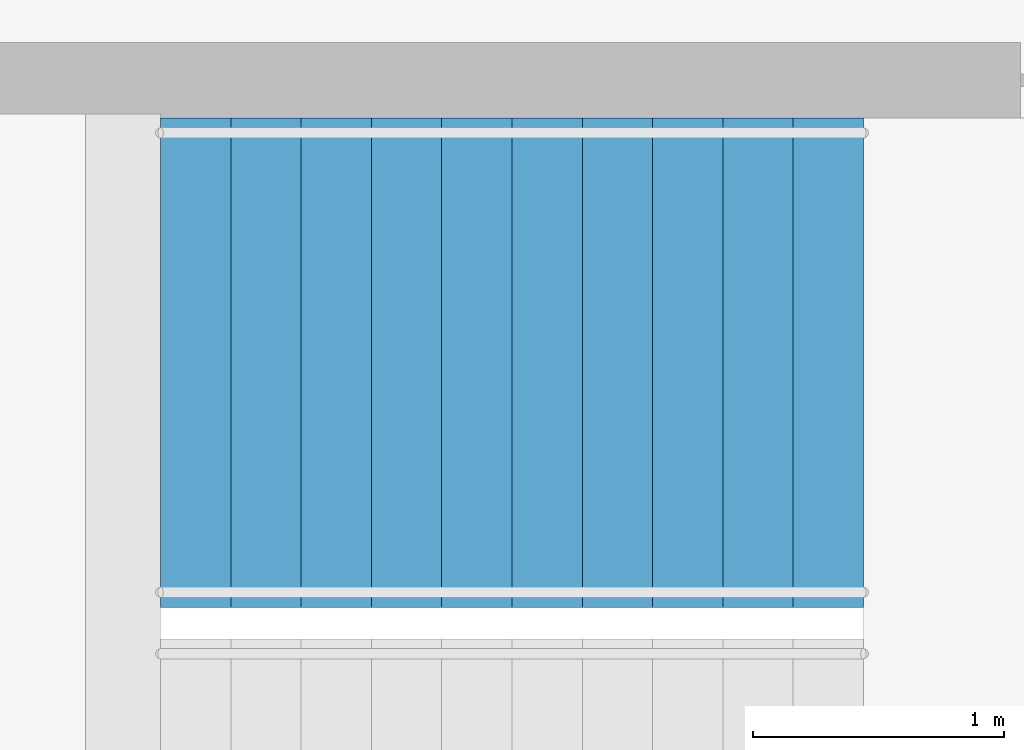
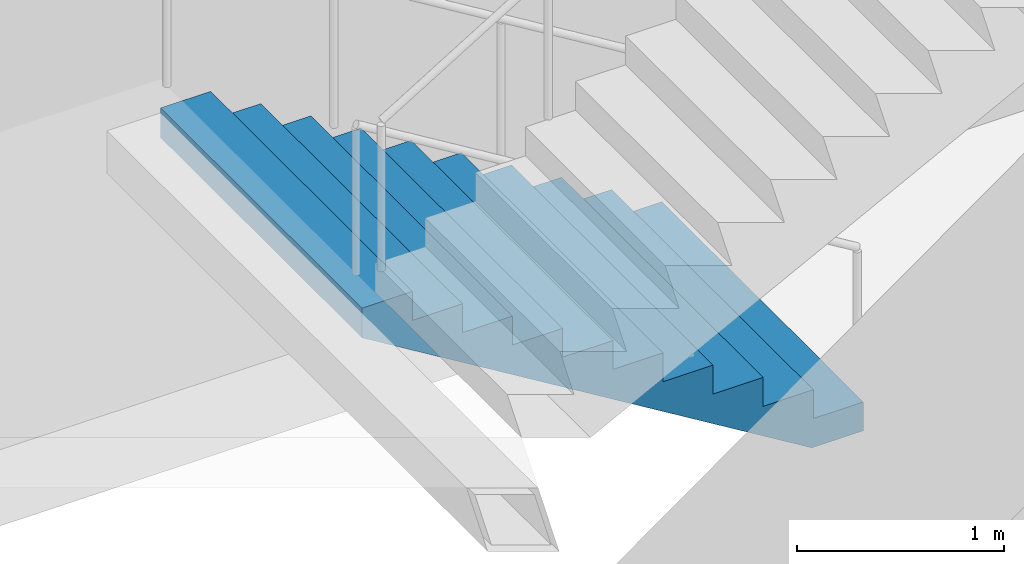
# One storey, part 27 of 29: 1 stair flight, 1 element without a shape of its own.
"""IFC4 building model written with IfcOpenShell, lengths in metres."""

from ifc_helpers import new_model, si_unit, direction, frame, origin, place, context, subcontext, project, spatial, triangles, material, type_object, element, aggregate, save


model = new_model("IFC4")

# Units and contexts
model_context = context("Model", 3, precision=1e-05, world=origin(), true_north=direction((0.0, 1.0)))
body_context = subcontext(model_context, "Body", "Model", "MODEL_VIEW")
ifc_project = project(units=[si_unit("LENGTHUNIT", "METRE"), si_unit("AREAUNIT", "SQUARE_METRE"), si_unit("VOLUMEUNIT", "CUBIC_METRE"), si_unit("PLANEANGLEUNIT", "RADIAN"), si_unit("MASSUNIT", "GRAM", prefix="KILO")], contexts=[model_context])

# Site, building, storey
site_placement = place(None, origin())
site = spatial("IfcSite", under=ifc_project, at=site_placement, CompositionType="ELEMENT")
building_placement = place(site_placement, origin())
building = spatial("IfcBuilding", under=site, at=building_placement, Name="Orbita Commons", CompositionType="ELEMENT")
storey_placement = place(building_placement, frame((0.0, 0.0, 148.60009765625)))
storey = spatial("IfcBuildingStorey", under=building, at=storey_placement, Name="L36", CompositionType="ELEMENT", Elevation=148.60009765625)

# Stair, stair flight
ifc_material_1 = material(Name="Precast concrete C40/50", Category="concrete")
stair_type = type_object("IfcStairType", Name="Exit stair S2 2 flights 11 risers 170", PredefinedType="HALF_TURN_STAIR", material=ifc_material_1)
stair_placement = place(storey_placement, origin())
stair = element("IfcStair", 1, at=stair_placement, inside=storey, type_object=stair_type, Name="Exit stair S2 L36", PredefinedType="HALF_TURN_STAIR")
ifc_material_2 = material(Name="Precast concrete C40/50", Category="concrete")
stair_flight_type = type_object("IfcStairFlightType", Name="Stair flight 11 risers 170 x 280", PredefinedType="STRAIGHT", material=ifc_material_2)
stair_flight_placement = place(storey_placement, frame((63.550048828125, 29.27490234375, 0.0), z_axis=(0.0, 0.0, 1.0), x_axis=(-1.0, 0.0, 0.0)))
stair_flight = element("IfcStairFlight", 2, at=stair_flight_placement, type_object=stair_flight_type, Name="S2 flight 1", NumberOfRisers=11, NumberOfTreads=10, PredefinedType="STRAIGHT", RiserHeight=0.170454545, TreadLength=0.28, context=body_context, shape_type="Tessellation", body=[
    triangles([(0.0, 0.974976, 0.0), (0.0, 0.974976, 0.021307), (0.0, 0.81248, 0.021307), (0.0, 0.81248, 0.0), (0.0, 0.649984, 0.021307), (0.0, 0.649984, 0.0), (0.0, 0.487488, 0.021307), (0.0, 0.487488, 0.0), (0.0, 0.324992, 0.021307), (0.0, 0.324992, 0.0), (0.0, 0.162496, 0.021307), (0.0, 0.162496, 0.0), (0.0, 0.0, 0.021307), (0.0, 0.0, 0.0), (0.0, -0.162496, 0.021307), (0.0, -0.162496, 0.0), (0.0, -0.324992, 0.021307), (0.0, -0.324992, 0.0), (0.0, -0.487488, 0.021307), (0.0, -0.487488, 0.0), (0.0, -0.649984, 0.021307), (0.0, -0.649984, 0.0), (0.0, -0.81248, 0.021307), (0.0, -0.81248, 0.0), (0.0, -0.974976, 0.021307), (0.0, -0.974976, 0.0), (0.0, 0.974976, 0.042614), (0.0, 0.81248, 0.042614), (0.0, 0.649984, 0.042614), (0.0, 0.487488, 0.042614), (0.0, 0.324992, 0.042614), (0.0, 0.162496, 0.042614), (0.0, 0.0, 0.042614), (0.0, -0.162496, 0.042614), (0.0, -0.324992, 0.042614), (0.0, -0.487488, 0.042614), (0.0, -0.649984, 0.042614), (0.0, -0.81248, 0.042614), (0.0, -0.974976, 0.042614), (0.0, 0.974976, 0.06392), (0.0, 0.81248, 0.06392), (0.0, 0.649984, 0.06392), (0.0, 0.487488, 0.06392), (0.0, 0.324992, 0.06392), (0.0, 0.162496, 0.06392), (0.0, 0.0, 0.06392), (0.0, -0.162496, 0.06392), (0.0, -0.324992, 0.06392), (0.0, -0.487488, 0.06392), (0.0, -0.649984, 0.06392), (0.0, -0.81248, 0.06392), (0.0, -0.974976, 0.06392), (0.0, 0.974976, 0.085227), (0.0, 0.81248, 0.085227), (0.0, 0.649984, 0.085227), (0.0, 0.487488, 0.085227), (0.0, 0.324992, 0.085227), (0.0, 0.162496, 0.085227), (0.0, 0.0, 0.085227), (0.0, -0.162496, 0.085227), (0.0, -0.324992, 0.085227), (0.0, -0.487488, 0.085227), (0.0, -0.649984, 0.085227), (0.0, -0.81248, 0.085227), (0.0, -0.974976, 0.085227), (0.0, 0.974976, 0.106534), (0.0, 0.81248, 0.106534), (0.0, 0.649984, 0.106534), (0.0, 0.487488, 0.106534), (0.0, 0.324992, 0.106534), (0.0, 0.162496, 0.106534), (0.0, 0.0, 0.106534), (0.0, -0.162496, 0.106534), (0.0, -0.324992, 0.106534), (0.0, -0.487488, 0.106534), (0.0, -0.649984, 0.106534), (0.0, -0.81248, 0.106534), (0.0, -0.974976, 0.106534), (0.0, 0.974976, 0.127841), (0.0, 0.81248, 0.127841), (0.0, 0.649984, 0.127841), (0.0, 0.487488, 0.127841), (0.0, 0.324992, 0.127841), (0.0, 0.162496, 0.127841), (0.0, 0.0, 0.127841), (0.0, -0.162496, 0.127841), (0.0, -0.324992, 0.127841), (0.0, -0.487488, 0.127841), (0.0, -0.649984, 0.127841), (0.0, -0.81248, 0.127841), (0.0, -0.974976, 0.127841), (0.0, 0.974976, 0.149148), (0.0, 0.81248, 0.149148), (0.0, 0.649984, 0.149148), (0.0, 0.487488, 0.149148), (0.0, 0.324992, 0.149148), (0.0, 0.162496, 0.149148), (0.0, 0.0, 0.149148), (0.0, -0.162496, 0.149148), (0.0, -0.324992, 0.149148), (0.0, -0.487488, 0.149148), (0.0, -0.649984, 0.149148), (0.0, -0.81248, 0.149148), (0.0, -0.974976, 0.149148), (0.0, 0.974976, 0.170455), (0.0, 0.81248, 0.170455), (0.0, 0.649984, 0.170455), (0.0, 0.487488, 0.170455), (0.0, 0.324992, 0.170455), (0.0, 0.162496, 0.170455), (0.0, 0.0, 0.170455), (0.0, -0.162496, 0.170455), (0.0, -0.324992, 0.170455), (0.0, -0.487488, 0.170455), (0.0, -0.649984, 0.170455), (0.0, -0.81248, 0.170455), (0.0, -0.974976, 0.170455), (0.28, 0.974976, 0.170455), (0.28, 0.81248, 0.170455), (0.28, 0.649984, 0.170455), (0.28, 0.487488, 0.170455), (0.28, 0.324992, 0.170455), (0.28, 0.162496, 0.170455), (0.28, 0.0, 0.170455), (0.28, -0.162496, 0.170455), (0.28, -0.324992, 0.170455), (0.28, -0.487488, 0.170455), (0.28, -0.649984, 0.170455), (0.28, -0.81248, 0.170455), (0.28, -0.974976, 0.170455), (0.28, 0.974976, 0.340909), (0.28, 0.81248, 0.340909), (0.28, 0.649984, 0.340909), (0.28, 0.487488, 0.340909), (0.28, 0.324992, 0.340909), (0.28, 0.162496, 0.340909), (0.28, 0.0, 0.340909), (0.28, -0.162496, 0.340909), (0.28, -0.324992, 0.340909), (0.28, -0.487488, 0.340909), (0.28, -0.649984, 0.340909), (0.28, -0.81248, 0.340909), (0.28, -0.974976, 0.340909), (0.56, 0.974976, 0.340909), (0.56, 0.81248, 0.340909), (0.56, 0.649984, 0.340909), (0.56, 0.487488, 0.340909), (0.56, 0.324992, 0.340909), (0.56, 0.162496, 0.340909), (0.56, 0.0, 0.340909), (0.56, -0.162496, 0.340909), (0.56, -0.324992, 0.340909), (0.56, -0.487488, 0.340909), (0.56, -0.649984, 0.340909), (0.56, -0.81248, 0.340909), (0.56, -0.974976, 0.340909), (0.56, 0.974976, 0.511364), (0.56, 0.81248, 0.511364), (0.56, 0.649984, 0.511364), (0.56, 0.487488, 0.511364), (0.56, 0.324992, 0.511364), (0.56, 0.162496, 0.511364), (0.56, 0.0, 0.511364), (0.56, -0.162496, 0.511364), (0.56, -0.324992, 0.511364), (0.56, -0.487488, 0.511364), (0.56, -0.649984, 0.511364), (0.56, -0.81248, 0.511364), (0.56, -0.974976, 0.511364), (0.84, 0.974976, 0.511364), (0.84, 0.81248, 0.511364), (0.84, 0.649984, 0.511364), (0.84, 0.487488, 0.511364), (0.84, 0.324992, 0.511364), (0.84, 0.162496, 0.511364), (0.84, 0.0, 0.511364), (0.84, -0.162496, 0.511364), (0.84, -0.324992, 0.511364), (0.84, -0.487488, 0.511364), (0.84, -0.649984, 0.511364), (0.84, -0.81248, 0.511364), (0.84, -0.974976, 0.511364), (0.84, 0.974976, 0.681818), (0.84, 0.81248, 0.681818), (0.84, 0.649984, 0.681818), (0.84, 0.487488, 0.681818), (0.84, 0.324992, 0.681818), (0.84, 0.162496, 0.681818), (0.84, 0.0, 0.681818), (0.84, -0.162496, 0.681818), (0.84, -0.324992, 0.681818), (0.84, -0.487488, 0.681818), (0.84, -0.649984, 0.681818), (0.84, -0.81248, 0.681818), (0.84, -0.974976, 0.681818), (1.12, 0.974976, 0.681818), (1.12, 0.81248, 0.681818), (1.12, 0.649984, 0.681818), (1.12, 0.487488, 0.681818), (1.12, 0.324992, 0.681818), (1.12, 0.162496, 0.681818), (1.12, 0.0, 0.681818), (1.12, -0.162496, 0.681818), (1.12, -0.324992, 0.681818), (1.12, -0.487488, 0.681818), (1.12, -0.649984, 0.681818), (1.12, -0.81248, 0.681818), (1.12, -0.974976, 0.681818), (1.12, 0.974976, 0.852273), (1.12, 0.81248, 0.852273), (1.12, 0.649984, 0.852273), (1.12, 0.487488, 0.852273), (1.12, 0.324992, 0.852273), (1.12, 0.162496, 0.852273), (1.12, 0.0, 0.852273), (1.12, -0.162496, 0.852273), (1.12, -0.324992, 0.852273), (1.12, -0.487488, 0.852273), (1.12, -0.649984, 0.852273), (1.12, -0.81248, 0.852273), (1.12, -0.974976, 0.852273), (1.4, 0.974976, 0.852273), (1.4, 0.81248, 0.852273), (1.4, 0.649984, 0.852273), (1.4, 0.487488, 0.852273), (1.4, 0.324992, 0.852273), (1.4, 0.162496, 0.852273), (1.4, 0.0, 0.852273), (1.4, -0.162496, 0.852273), (1.4, -0.324992, 0.852273), (1.4, -0.487488, 0.852273), (1.4, -0.649984, 0.852273), (1.4, -0.81248, 0.852273), (1.4, -0.974976, 0.852273), (1.4, 0.974976, 1.022727), (1.4, 0.81248, 1.022727), (1.4, 0.649984, 1.022727), (1.4, 0.487488, 1.022727), (1.4, 0.324992, 1.022727), (1.4, 0.162496, 1.022727), (1.4, 0.0, 1.022727), (1.4, -0.162496, 1.022727), (1.4, -0.324992, 1.022727), (1.4, -0.487488, 1.022727), (1.4, -0.649984, 1.022727), (1.4, -0.81248, 1.022727), (1.4, -0.974976, 1.022727), (1.68, 0.974976, 1.022727), (1.68, 0.81248, 1.022727), (1.68, 0.649984, 1.022727), (1.68, 0.487488, 1.022727), (1.68, 0.324992, 1.022727), (1.68, 0.162496, 1.022727), (1.68, 0.0, 1.022727), (1.68, -0.162496, 1.022727), (1.68, -0.324992, 1.022727), (1.68, -0.487488, 1.022727), (1.68, -0.649984, 1.022727), (1.68, -0.81248, 1.022727), (1.68, -0.974976, 1.022727), (1.68, 0.974976, 1.193182), (1.68, 0.81248, 1.193182), (1.68, 0.649984, 1.193182), (1.68, 0.487488, 1.193182), (1.68, 0.324992, 1.193182), (1.68, 0.162496, 1.193182), (1.68, 0.0, 1.193182), (1.68, -0.162496, 1.193182), (1.68, -0.324992, 1.193182), (1.68, -0.487488, 1.193182), (1.68, -0.649984, 1.193182), (1.68, -0.81248, 1.193182), (1.68, -0.974976, 1.193182), (1.96, 0.974976, 1.193182), (1.96, 0.81248, 1.193182), (1.96, 0.649984, 1.193182), (1.96, 0.487488, 1.193182), (1.96, 0.324992, 1.193182), (1.96, 0.162496, 1.193182), (1.96, 0.0, 1.193182), (1.96, -0.162496, 1.193182), (1.96, -0.324992, 1.193182), (1.96, -0.487488, 1.193182), (1.96, -0.649984, 1.193182), (1.96, -0.81248, 1.193182), (1.96, -0.974976, 1.193182), (1.96, 0.974976, 1.363636), (1.96, 0.81248, 1.363636), (1.96, 0.649984, 1.363636), (1.96, 0.487488, 1.363636), (1.96, 0.324992, 1.363636), (1.96, 0.162496, 1.363636), (1.96, 0.0, 1.363636), (1.96, -0.162496, 1.363636), (1.96, -0.324992, 1.363636), (1.96, -0.487488, 1.363636), (1.96, -0.649984, 1.363636), (1.96, -0.81248, 1.363636), (1.96, -0.974976, 1.363636), (2.24, 0.974976, 1.363636), (2.24, 0.81248, 1.363636), (2.24, 0.649984, 1.363636), (2.24, 0.487488, 1.363636), (2.24, 0.324992, 1.363636), (2.24, 0.162496, 1.363636), (2.24, 0.0, 1.363636), (2.24, -0.162496, 1.363636), (2.24, -0.324992, 1.363636), (2.24, -0.487488, 1.363636), (2.24, -0.649984, 1.363636), (2.24, -0.81248, 1.363636), (2.24, -0.974976, 1.363636), (2.24, 0.974976, 1.534091), (2.24, 0.81248, 1.534091), (2.24, 0.649984, 1.534091), (2.24, 0.487488, 1.534091), (2.24, 0.324992, 1.534091), (2.24, 0.162496, 1.534091), (2.24, 0.0, 1.534091), (2.24, -0.162496, 1.534091), (2.24, -0.324992, 1.534091), (2.24, -0.487488, 1.534091), (2.24, -0.649984, 1.534091), (2.24, -0.81248, 1.534091), (2.24, -0.974976, 1.534091), (2.52, 0.974976, 1.534091), (2.52, 0.81248, 1.534091), (2.52, 0.649984, 1.534091), (2.52, 0.487488, 1.534091), (2.52, 0.324992, 1.534091), (2.52, 0.162496, 1.534091), (2.52, 0.0, 1.534091), (2.52, -0.162496, 1.534091), (2.52, -0.324992, 1.534091), (2.52, -0.487488, 1.534091), (2.52, -0.649984, 1.534091), (2.52, -0.81248, 1.534091), (2.52, -0.974976, 1.534091), (2.52, 0.974976, 1.704545), (2.52, 0.81248, 1.704545), (2.52, 0.649984, 1.704545), (2.52, 0.487488, 1.704545), (2.52, 0.324992, 1.704545), (2.52, 0.162496, 1.704545), (2.52, 0.0, 1.704545), (2.52, -0.162496, 1.704545), (2.52, -0.324992, 1.704545), (2.52, -0.487488, 1.704545), (2.52, -0.649984, 1.704545), (2.52, -0.81248, 1.704545), (2.52, -0.974976, 1.704545), (2.8, 0.974976, 1.704545), (2.8, 0.81248, 1.704545), (2.8, 0.649984, 1.704545), (2.8, 0.487488, 1.704545), (2.8, 0.324992, 1.704545), (2.8, 0.162496, 1.704545), (2.8, 0.0, 1.704545), (2.8, -0.162496, 1.704545), (2.8, -0.324992, 1.704545), (2.8, -0.487488, 1.704545), (2.8, -0.649984, 1.704545), (2.8, -0.81248, 1.704545), (2.8, -0.974976, 1.704545), (2.8, 0.974976, 1.682609), (2.8, 0.81248, 1.682609), (2.8, 0.649984, 1.682609), (2.8, 0.487488, 1.682609), (2.8, 0.324992, 1.682609), (2.8, 0.162496, 1.682609), (2.8, 0.0, 1.682609), (2.8, -0.162496, 1.682609), (2.8, -0.324992, 1.682609), (2.8, -0.487488, 1.682609), (2.8, -0.649984, 1.682609), (2.8, -0.81248, 1.682609), (2.8, -0.974976, 1.682609), (2.8, 0.974976, 1.660672), (2.8, 0.81248, 1.660672), (2.8, 0.649984, 1.660672), (2.8, 0.487488, 1.660672), (2.8, 0.324992, 1.660672), (2.8, 0.162496, 1.660672), (2.8, 0.0, 1.660672), (2.8, -0.162496, 1.660672), (2.8, -0.324992, 1.660672), (2.8, -0.487488, 1.660672), (2.8, -0.649984, 1.660672), (2.8, -0.81248, 1.660672), (2.8, -0.974976, 1.660672), (2.8, 0.974976, 1.638735), (2.8, 0.81248, 1.638735), (2.8, 0.649984, 1.638735), (2.8, 0.487488, 1.638735), (2.8, 0.324992, 1.638735), (2.8, 0.162496, 1.638735), (2.8, 0.0, 1.638735), (2.8, -0.162496, 1.638735), (2.8, -0.324992, 1.638735), (2.8, -0.487488, 1.638735), (2.8, -0.649984, 1.638735), (2.8, -0.81248, 1.638735), (2.8, -0.974976, 1.638735), (2.8, 0.974976, 1.616798), (2.8, 0.81248, 1.616798), (2.8, 0.649984, 1.616798), (2.8, 0.487488, 1.616798), (2.8, 0.324992, 1.616798), (2.8, 0.162496, 1.616798), (2.8, 0.0, 1.616798), (2.8, -0.162496, 1.616798), (2.8, -0.324992, 1.616798), (2.8, -0.487488, 1.616798), (2.8, -0.649984, 1.616798), (2.8, -0.81248, 1.616798), (2.8, -0.974976, 1.616798), (2.8, 0.974976, 1.594861), (2.8, 0.81248, 1.594861), (2.8, 0.649984, 1.594861), (2.8, 0.487488, 1.594861), (2.8, 0.324992, 1.594861), (2.8, 0.162496, 1.594861), (2.8, 0.0, 1.594861), (2.8, -0.162496, 1.594861), (2.8, -0.324992, 1.594861), (2.8, -0.487488, 1.594861), (2.8, -0.649984, 1.594861), (2.8, -0.81248, 1.594861), (2.8, -0.974976, 1.594861), (2.8, 0.974976, 1.572925), (2.8, 0.81248, 1.572925), (2.8, 0.649984, 1.572925), (2.8, 0.487488, 1.572925), (2.8, 0.324992, 1.572925), (2.8, 0.162496, 1.572925), (2.8, 0.0, 1.572925), (2.8, -0.162496, 1.572925), (2.8, -0.324992, 1.572925), (2.8, -0.487488, 1.572925), (2.8, -0.649984, 1.572925), (2.8, -0.81248, 1.572925), (2.8, -0.974976, 1.572925), (2.8, 0.974976, 1.550988), (2.8, 0.81248, 1.550988), (2.8, 0.649984, 1.550988), (2.8, 0.487488, 1.550988), (2.8, 0.324992, 1.550988), (2.8, 0.162496, 1.550988), (2.8, 0.0, 1.550988), (2.8, -0.162496, 1.550988), (2.8, -0.324992, 1.550988), (2.8, -0.487488, 1.550988), (2.8, -0.649984, 1.550988), (2.8, -0.81248, 1.550988), (2.8, -0.974976, 1.550988), (2.8, 0.974976, 1.529051), (2.8, 0.81248, 1.529051), (2.8, 0.649984, 1.529051), (2.8, 0.487488, 1.529051), (2.8, 0.324992, 1.529051), (2.8, 0.162496, 1.529051), (2.8, 0.0, 1.529051), (2.8, -0.162496, 1.529051), (2.8, -0.324992, 1.529051), (2.8, -0.487488, 1.529051), (2.8, -0.649984, 1.529051), (2.8, -0.81248, 1.529051), (2.8, -0.974976, 1.529051), (0.288279, 0.974976, 0.0), (0.288279, 0.81248, 0.0), (0.288279, 0.649984, 0.0), (0.288279, 0.487488, 0.0), (0.288279, 0.324992, 0.0), (0.288279, 0.162496, 0.0), (0.288279, 0.0, 0.0), (0.288279, -0.162496, 0.0), (0.288279, -0.324992, 0.0), (0.288279, -0.487488, 0.0), (0.288279, -0.649984, 0.0), (0.288279, -0.81248, 0.0), (0.288279, -0.974976, 0.0)], [[3, 2, 1], [4, 3, 1], [5, 3, 4], [6, 5, 4], [7, 5, 6], [8, 7, 6], [9, 7, 8], [10, 9, 8], [11, 9, 10], [12, 11, 10], [13, 11, 12], [14, 13, 12], [15, 13, 14], [16, 15, 14], [17, 15, 16], [18, 17, 16], [19, 17, 18], [20, 19, 18], [21, 19, 20], [22, 21, 20], [23, 21, 22], [24, 23, 22], [25, 23, 24], [26, 25, 24], [28, 27, 2], [3, 28, 2], [29, 28, 3], [5, 29, 3], [30, 29, 5], [7, 30, 5], [31, 30, 7], [9, 31, 7], [32, 31, 9], [11, 32, 9], [33, 32, 11], [13, 33, 11], [34, 33, 13], [15, 34, 13], [35, 34, 15], [17, 35, 15], [36, 35, 17], [19, 36, 17], [37, 36, 19], [21, 37, 19], [38, 37, 21], [23, 38, 21], [39, 38, 23], [25, 39, 23], [41, 40, 27], [28, 41, 27], [42, 41, 28], [29, 42, 28], [43, 42, 29], [30, 43, 29], [44, 43, 30], [31, 44, 30], [45, 44, 31], [32, 45, 31], [46, 45, 32], [33, 46, 32], [47, 46, 33], [34, 47, 33], [48, 47, 34], [35, 48, 34], [49, 48, 35], [36, 49, 35], [50, 49, 36], [37, 50, 36], [51, 50, 37], [38, 51, 37], [52, 51, 38], [39, 52, 38], [54, 53, 40], [41, 54, 40], [55, 54, 41], [42, 55, 41], [56, 55, 42], [43, 56, 42], [57, 56, 43], [44, 57, 43], [58, 57, 44], [45, 58, 44], [59, 58, 45], [46, 59, 45], [60, 59, 46], [47, 60, 46], [61, 60, 47], [48, 61, 47], [62, 61, 48], [49, 62, 48], [63, 62, 49], [50, 63, 49], [64, 63, 50], [51, 64, 50], [65, 64, 51], [52, 65, 51], [67, 66, 53], [54, 67, 53], [68, 67, 54], [55, 68, 54], [69, 68, 55], [56, 69, 55], [70, 69, 56], [57, 70, 56], [71, 70, 57], [58, 71, 57], [72, 71, 58], [59, 72, 58], [73, 72, 59], [60, 73, 59], [74, 73, 60], [61, 74, 60], [75, 74, 61], [62, 75, 61], [76, 75, 62], [63, 76, 62], [77, 76, 63], [64, 77, 63], [78, 77, 64], [65, 78, 64], [80, 79, 66], [67, 80, 66], [81, 80, 67], [68, 81, 67], [82, 81, 68], [69, 82, 68], [83, 82, 69], [70, 83, 69], [84, 83, 70], [71, 84, 70], [85, 84, 71], [72, 85, 71], [86, 85, 72], [73, 86, 72], [87, 86, 73], [74, 87, 73], [88, 87, 74], [75, 88, 74], [89, 88, 75], [76, 89, 75], [90, 89, 76], [77, 90, 76], [91, 90, 77], [78, 91, 77], [93, 92, 79], [80, 93, 79], [94, 93, 80], [81, 94, 80], [95, 94, 81], [82, 95, 81], [96, 95, 82], [83, 96, 82], [97, 96, 83], [84, 97, 83], [98, 97, 84], [85, 98, 84], [99, 98, 85], [86, 99, 85], [100, 99, 86], [87, 100, 86], [101, 100, 87], [88, 101, 87], [102, 101, 88], [89, 102, 88], [103, 102, 89], [90, 103, 89], [104, 103, 90], [91, 104, 90], [106, 105, 92], [93, 106, 92], [107, 106, 93], [94, 107, 93], [108, 107, 94], [95, 108, 94], [109, 108, 95], [96, 109, 95], [110, 109, 96], [97, 110, 96], [111, 110, 97], [98, 111, 97], [112, 111, 98], [99, 112, 98], [113, 112, 99], [100, 113, 99], [114, 113, 100], [101, 114, 100], [115, 114, 101], [102, 115, 101], [116, 115, 102], [103, 116, 102], [117, 116, 103], [104, 117, 103], [119, 118, 105], [106, 119, 105], [120, 119, 106], [107, 120, 106], [121, 120, 107], [108, 121, 107], [122, 121, 108], [109, 122, 108], [123, 122, 109], [110, 123, 109], [124, 123, 110], [111, 124, 110], [125, 124, 111], [112, 125, 111], [126, 125, 112], [113, 126, 112], [127, 126, 113], [114, 127, 113], [128, 127, 114], [115, 128, 114], [129, 128, 115], [116, 129, 115], [130, 129, 116], [117, 130, 116], [132, 131, 118], [119, 132, 118], [133, 132, 119], [120, 133, 119], [134, 133, 120], [121, 134, 120], [135, 134, 121], [122, 135, 121], [136, 135, 122], [123, 136, 122], [137, 136, 123], [124, 137, 123], [138, 137, 124], [125, 138, 124], [139, 138, 125], [126, 139, 125], [140, 139, 126], [127, 140, 126], [141, 140, 127], [128, 141, 127], [142, 141, 128], [129, 142, 128], [143, 142, 129], [130, 143, 129], [145, 144, 131], [132, 145, 131], [146, 145, 132], [133, 146, 132], [147, 146, 133], [134, 147, 133], [148, 147, 134], [135, 148, 134], [149, 148, 135], [136, 149, 135], [150, 149, 136], [137, 150, 136], [151, 150, 137], [138, 151, 137], [152, 151, 138], [139, 152, 138], [153, 152, 139], [140, 153, 139], [154, 153, 140], [141, 154, 140], [155, 154, 141], [142, 155, 141], [156, 155, 142], [143, 156, 142], [158, 157, 144], [145, 158, 144], [159, 158, 145], [146, 159, 145], [160, 159, 146], [147, 160, 146], [161, 160, 147], [148, 161, 147], [162, 161, 148], [149, 162, 148], [163, 162, 149], [150, 163, 149], [164, 163, 150], [151, 164, 150], [165, 164, 151], [152, 165, 151], [166, 165, 152], [153, 166, 152], [167, 166, 153], [154, 167, 153], [168, 167, 154], [155, 168, 154], [169, 168, 155], [156, 169, 155], [171, 170, 157], [158, 171, 157], [172, 171, 158], [159, 172, 158], [173, 172, 159], [160, 173, 159], [174, 173, 160], [161, 174, 160], [175, 174, 161], [162, 175, 161], [176, 175, 162], [163, 176, 162], [177, 176, 163], [164, 177, 163], [178, 177, 164], [165, 178, 164], [179, 178, 165], [166, 179, 165], [180, 179, 166], [167, 180, 166], [181, 180, 167], [168, 181, 167], [182, 181, 168], [169, 182, 168], [184, 183, 170], [171, 184, 170], [185, 184, 171], [172, 185, 171], [186, 185, 172], [173, 186, 172], [187, 186, 173], [174, 187, 173], [188, 187, 174], [175, 188, 174], [189, 188, 175], [176, 189, 175], [190, 189, 176], [177, 190, 176], [191, 190, 177], [178, 191, 177], [192, 191, 178], [179, 192, 178], [193, 192, 179], [180, 193, 179], [194, 193, 180], [181, 194, 180], [195, 194, 181], [182, 195, 181], [197, 196, 183], [184, 197, 183], [198, 197, 184], [185, 198, 184], [199, 198, 185], [186, 199, 185], [200, 199, 186], [187, 200, 186], [201, 200, 187], [188, 201, 187], [202, 201, 188], [189, 202, 188], [203, 202, 189], [190, 203, 189], [204, 203, 190], [191, 204, 190], [205, 204, 191], [192, 205, 191], [206, 205, 192], [193, 206, 192], [207, 206, 193], [194, 207, 193], [208, 207, 194], [195, 208, 194], [210, 209, 196], [197, 210, 196], [211, 210, 197], [198, 211, 197], [212, 211, 198], [199, 212, 198], [213, 212, 199], [200, 213, 199], [214, 213, 200], [201, 214, 200], [215, 214, 201], [202, 215, 201], [216, 215, 202], [203, 216, 202], [217, 216, 203], [204, 217, 203], [218, 217, 204], [205, 218, 204], [219, 218, 205], [206, 219, 205], [220, 219, 206], [207, 220, 206], [221, 220, 207], [208, 221, 207], [223, 222, 209], [210, 223, 209], [224, 223, 210], [211, 224, 210], [225, 224, 211], [212, 225, 211], [226, 225, 212], [213, 226, 212], [227, 226, 213], [214, 227, 213], [228, 227, 214], [215, 228, 214], [229, 228, 215], [216, 229, 215], [230, 229, 216], [217, 230, 216], [231, 230, 217], [218, 231, 217], [232, 231, 218], [219, 232, 218], [233, 232, 219], [220, 233, 219], [234, 233, 220], [221, 234, 220], [236, 235, 222], [223, 236, 222], [237, 236, 223], [224, 237, 223], [238, 237, 224], [225, 238, 224], [239, 238, 225], [226, 239, 225], [240, 239, 226], [227, 240, 226], [241, 240, 227], [228, 241, 227], [242, 241, 228], [229, 242, 228], [243, 242, 229], [230, 243, 229], [244, 243, 230], [231, 244, 230], [245, 244, 231], [232, 245, 231], [246, 245, 232], [233, 246, 232], [247, 246, 233], [234, 247, 233], [249, 248, 235], [236, 249, 235], [250, 249, 236], [237, 250, 236], [251, 250, 237], [238, 251, 237], [252, 251, 238], [239, 252, 238], [253, 252, 239], [240, 253, 239], [254, 253, 240], [241, 254, 240], [255, 254, 241], [242, 255, 241], [256, 255, 242], [243, 256, 242], [257, 256, 243], [244, 257, 243], [258, 257, 244], [245, 258, 244], [259, 258, 245], [246, 259, 245], [260, 259, 246], [247, 260, 246], [262, 261, 248], [249, 262, 248], [263, 262, 249], [250, 263, 249], [264, 263, 250], [251, 264, 250], [265, 264, 251], [252, 265, 251], [266, 265, 252], [253, 266, 252], [267, 266, 253], [254, 267, 253], [268, 267, 254], [255, 268, 254], [269, 268, 255], [256, 269, 255], [270, 269, 256], [257, 270, 256], [271, 270, 257], [258, 271, 257], [272, 271, 258], [259, 272, 258], [273, 272, 259], [260, 273, 259], [275, 274, 261], [262, 275, 261], [276, 275, 262], [263, 276, 262], [277, 276, 263], [264, 277, 263], [278, 277, 264], [265, 278, 264], [279, 278, 265], [266, 279, 265], [280, 279, 266], [267, 280, 266], [281, 280, 267], [268, 281, 267], [282, 281, 268], [269, 282, 268], [283, 282, 269], [270, 283, 269], [284, 283, 270], [271, 284, 270], [285, 284, 271], [272, 285, 271], [286, 285, 272], [273, 286, 272], [288, 287, 274], [275, 288, 274], [289, 288, 275], [276, 289, 275], [290, 289, 276], [277, 290, 276], [291, 290, 277], [278, 291, 277], [292, 291, 278], [279, 292, 278], [293, 292, 279], [280, 293, 279], [294, 293, 280], [281, 294, 280], [295, 294, 281], [282, 295, 281], [296, 295, 282], [283, 296, 282], [297, 296, 283], [284, 297, 283], [298, 297, 284], [285, 298, 284], [299, 298, 285], [286, 299, 285], [301, 300, 287], [288, 301, 287], [302, 301, 288], [289, 302, 288], [303, 302, 289], [290, 303, 289], [304, 303, 290], [291, 304, 290], [305, 304, 291], [292, 305, 291], [306, 305, 292], [293, 306, 292], [307, 306, 293], [294, 307, 293], [308, 307, 294], [295, 308, 294], [309, 308, 295], [296, 309, 295], [310, 309, 296], [297, 310, 296], [311, 310, 297], [298, 311, 297], [312, 311, 298], [299, 312, 298], [314, 313, 300], [301, 314, 300], [315, 314, 301], [302, 315, 301], [316, 315, 302], [303, 316, 302], [317, 316, 303], [304, 317, 303], [318, 317, 304], [305, 318, 304], [319, 318, 305], [306, 319, 305], [320, 319, 306], [307, 320, 306], [321, 320, 307], [308, 321, 307], [322, 321, 308], [309, 322, 308], [323, 322, 309], [310, 323, 309], [324, 323, 310], [311, 324, 310], [325, 324, 311], [312, 325, 311], [327, 326, 313], [314, 327, 313], [328, 327, 314], [315, 328, 314], [329, 328, 315], [316, 329, 315], [330, 329, 316], [317, 330, 316], [331, 330, 317], [318, 331, 317], [332, 331, 318], [319, 332, 318], [333, 332, 319], [320, 333, 319], [334, 333, 320], [321, 334, 320], [335, 334, 321], [322, 335, 321], [336, 335, 322], [323, 336, 322], [337, 336, 323], [324, 337, 323], [338, 337, 324], [325, 338, 324], [340, 339, 326], [327, 340, 326], [341, 340, 327], [328, 341, 327], [342, 341, 328], [329, 342, 328], [343, 342, 329], [330, 343, 329], [344, 343, 330], [331, 344, 330], [345, 344, 331], [332, 345, 331], [346, 345, 332], [333, 346, 332], [347, 346, 333], [334, 347, 333], [348, 347, 334], [335, 348, 334], [349, 348, 335], [336, 349, 335], [350, 349, 336], [337, 350, 336], [351, 350, 337], [338, 351, 337], [353, 352, 339], [340, 353, 339], [354, 353, 340], [341, 354, 340], [355, 354, 341], [342, 355, 341], [356, 355, 342], [343, 356, 342], [357, 356, 343], [344, 357, 343], [358, 357, 344], [345, 358, 344], [359, 358, 345], [346, 359, 345], [360, 359, 346], [347, 360, 346], [361, 360, 347], [348, 361, 347], [362, 361, 348], [349, 362, 348], [363, 362, 349], [350, 363, 349], [364, 363, 350], [351, 364, 350], [366, 365, 352], [353, 366, 352], [367, 366, 353], [354, 367, 353], [368, 367, 354], [355, 368, 354], [369, 368, 355], [356, 369, 355], [370, 369, 356], [357, 370, 356], [371, 370, 357], [358, 371, 357], [372, 371, 358], [359, 372, 358], [373, 372, 359], [360, 373, 359], [374, 373, 360], [361, 374, 360], [375, 374, 361], [362, 375, 361], [376, 375, 362], [363, 376, 362], [377, 376, 363], [364, 377, 363], [379, 378, 365], [366, 379, 365], [380, 379, 366], [367, 380, 366], [381, 380, 367], [368, 381, 367], [382, 381, 368], [369, 382, 368], [383, 382, 369], [370, 383, 369], [384, 383, 370], [371, 384, 370], [385, 384, 371], [372, 385, 371], [386, 385, 372], [373, 386, 372], [387, 386, 373], [374, 387, 373], [388, 387, 374], [375, 388, 374], [389, 388, 375], [376, 389, 375], [390, 389, 376], [377, 390, 376], [392, 391, 378], [379, 392, 378], [393, 392, 379], [380, 393, 379], [394, 393, 380], [381, 394, 380], [395, 394, 381], [382, 395, 381], [396, 395, 382], [383, 396, 382], [397, 396, 383], [384, 397, 383], [398, 397, 384], [385, 398, 384], [399, 398, 385], [386, 399, 385], [400, 399, 386], [387, 400, 386], [401, 400, 387], [388, 401, 387], [402, 401, 388], [389, 402, 388], [403, 402, 389], [390, 403, 389], [405, 404, 391], [392, 405, 391], [406, 405, 392], [393, 406, 392], [407, 406, 393], [394, 407, 393], [408, 407, 394], [395, 408, 394], [409, 408, 395], [396, 409, 395], [410, 409, 396], [397, 410, 396], [411, 410, 397], [398, 411, 397], [412, 411, 398], [399, 412, 398], [413, 412, 399], [400, 413, 399], [414, 413, 400], [401, 414, 400], [415, 414, 401], [402, 415, 401], [416, 415, 402], [403, 416, 402], [418, 417, 404], [405, 418, 404], [419, 418, 405], [406, 419, 405], [420, 419, 406], [407, 420, 406], [421, 420, 407], [408, 421, 407], [422, 421, 408], [409, 422, 408], [423, 422, 409], [410, 423, 409], [424, 423, 410], [411, 424, 410], [425, 424, 411], [412, 425, 411], [426, 425, 412], [413, 426, 412], [427, 426, 413], [414, 427, 413], [428, 427, 414], [415, 428, 414], [429, 428, 415], [416, 429, 415], [431, 430, 417], [418, 431, 417], [432, 431, 418], [419, 432, 418], [433, 432, 419], [420, 433, 419], [434, 433, 420], [421, 434, 420], [435, 434, 421], [422, 435, 421], [436, 435, 422], [423, 436, 422], [437, 436, 423], [424, 437, 423], [438, 437, 424], [425, 438, 424], [439, 438, 425], [426, 439, 425], [440, 439, 426], [427, 440, 426], [441, 440, 427], [428, 441, 427], [442, 441, 428], [429, 442, 428], [444, 443, 430], [431, 444, 430], [445, 444, 431], [432, 445, 431], [446, 445, 432], [433, 446, 432], [447, 446, 433], [434, 447, 433], [448, 447, 434], [435, 448, 434], [449, 448, 435], [436, 449, 435], [450, 449, 436], [437, 450, 436], [451, 450, 437], [438, 451, 437], [452, 451, 438], [439, 452, 438], [453, 452, 439], [440, 453, 439], [454, 453, 440], [441, 454, 440], [455, 454, 441], [442, 455, 441], [457, 456, 443], [444, 457, 443], [458, 457, 444], [445, 458, 444], [459, 458, 445], [446, 459, 445], [460, 459, 446], [447, 460, 446], [461, 460, 447], [448, 461, 447], [462, 461, 448], [449, 462, 448], [463, 462, 449], [450, 463, 449], [464, 463, 450], [451, 464, 450], [465, 464, 451], [452, 465, 451], [466, 465, 452], [453, 466, 452], [467, 466, 453], [454, 467, 453], [468, 467, 454], [455, 468, 454], [470, 469, 456], [457, 470, 456], [471, 470, 457], [458, 471, 457], [472, 471, 458], [459, 472, 458], [473, 472, 459], [460, 473, 459], [474, 473, 460], [461, 474, 460], [475, 474, 461], [462, 475, 461], [476, 475, 462], [463, 476, 462], [477, 476, 463], [464, 477, 463], [478, 477, 464], [465, 478, 464], [479, 478, 465], [466, 479, 465], [480, 479, 466], [467, 480, 466], [481, 480, 467], [468, 481, 467], [4, 1, 469], [470, 4, 469], [6, 4, 470], [471, 6, 470], [8, 6, 471], [472, 8, 471], [10, 8, 472], [473, 10, 472], [12, 10, 473], [474, 12, 473], [14, 12, 474], [475, 14, 474], [16, 14, 475], [476, 16, 475], [18, 16, 476], [477, 18, 476], [20, 18, 477], [478, 20, 477], [22, 20, 478], [479, 22, 478], [24, 22, 479], [480, 24, 479], [26, 24, 480], [481, 26, 480], [456, 469, 1], [26, 481, 468], [443, 456, 1], [26, 468, 455], [430, 443, 1], [26, 455, 442], [417, 430, 1], [26, 442, 429], [404, 417, 1], [26, 429, 416], [391, 404, 1], [26, 416, 403], [378, 391, 1], [26, 403, 390], [365, 378, 1], [26, 390, 377], [339, 352, 365], [377, 364, 351], [326, 339, 365], [377, 351, 338], [300, 313, 326], [338, 325, 312], [300, 326, 365], [377, 338, 312], [274, 287, 300], [312, 299, 286], [274, 300, 365], [377, 312, 286], [248, 261, 274], [286, 273, 260], [248, 274, 365], [377, 286, 260], [222, 235, 248], [260, 247, 234], [222, 248, 365], [377, 260, 234], [196, 209, 222], [234, 221, 208], [196, 222, 365], [377, 234, 208], [170, 183, 196], [208, 195, 182], [170, 196, 365], [377, 208, 182], [144, 157, 170], [182, 169, 156], [144, 170, 365], [377, 182, 156], [118, 131, 144], [156, 143, 130], [118, 144, 365], [377, 156, 130], [118, 365, 1], [26, 377, 130], [92, 105, 118], [130, 117, 104], [79, 92, 118], [130, 104, 91], [66, 79, 118], [130, 91, 78], [53, 66, 118], [130, 78, 65], [40, 53, 118], [130, 65, 52], [27, 40, 118], [130, 52, 39], [2, 27, 118], [130, 39, 25], [1, 2, 118], [130, 25, 26]], closed=True),
])
aggregate(stair, [stair_flight])

save(model, "model.ifc")
